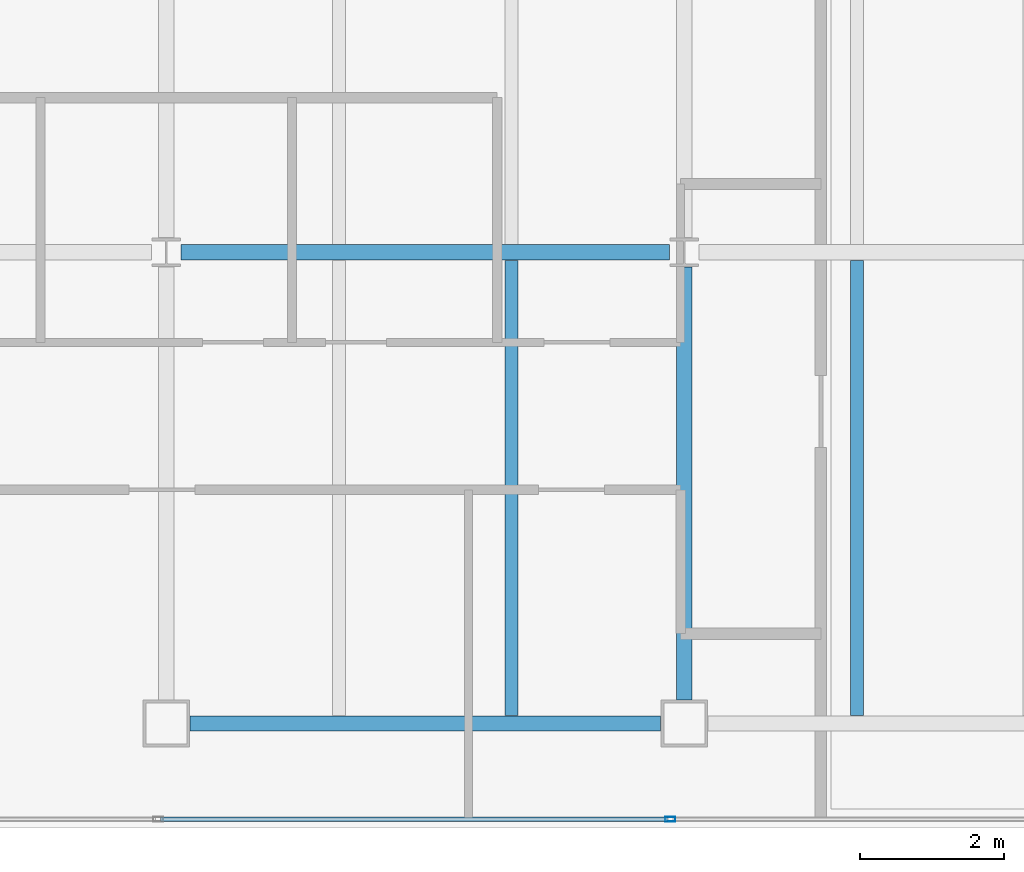
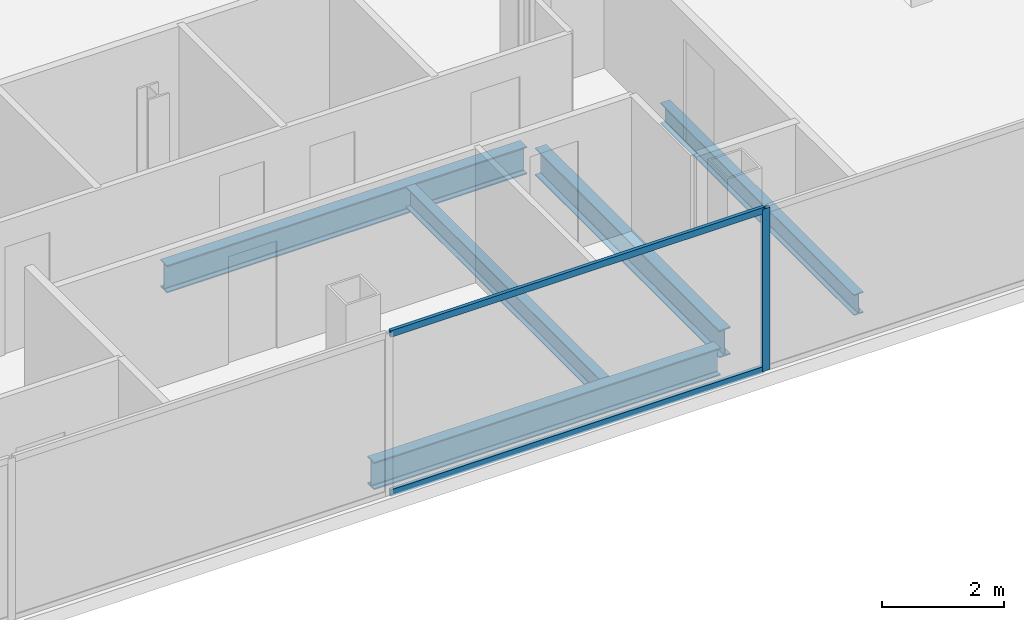
# One storey, part 6 of 23: 5 beams, 3 members, 1 element without a shape of its own.
"""IFC4 building model written with IfcOpenShell, lengths in metres."""

from ifc_helpers import new_model, si_unit, direction, frame, origin, origin_2d, place, context, subcontext, project, spatial, hollow_rectangle, i_section, extrude, material, material_profile, profile_set, type_object, element, aggregate, save


model = new_model("IFC4")

# Units and contexts
model_context = context("Model", 3, precision=1e-05, world=origin(), true_north=direction((0.0, 1.0)))
body_context = subcontext(model_context, "Body", "Model", "MODEL_VIEW")
ifc_project = project(units=[si_unit("LENGTHUNIT", "METRE"), si_unit("AREAUNIT", "SQUARE_METRE"), si_unit("VOLUMEUNIT", "CUBIC_METRE"), si_unit("PLANEANGLEUNIT", "RADIAN"), si_unit("MASSUNIT", "GRAM", prefix="KILO")], contexts=[model_context])

# Site, building, storey
site_placement = place(None, origin())
site = spatial("IfcSite", under=ifc_project, at=site_placement, CompositionType="ELEMENT")
building_placement = place(site_placement, origin())
building = spatial("IfcBuilding", under=site, at=building_placement, Name="Cobrela Telecom Tower", CompositionType="ELEMENT")
storey_placement = place(building_placement, frame((0.0, 0.0, 272.64990234375)))
storey = spatial("IfcBuildingStorey", under=building, at=storey_placement, Name="L71", CompositionType="ELEMENT", Elevation=272.64990234375)

# Beams
ifc_material_1 = material(Name="Steel ASTM A992 Grade 50", Category="steel")
ifc_material_profile_1 = material_profile(ifc_material_1, i_section(OverallWidth=0.212890625, OverallDepth=0.549072265625, WebThickness=0.0146484375, FlangeThickness=0.023681640625, FilletRadius=0.013916015625, at=origin_2d()), Name="W21X93")
ifc_profile_set_1 = profile_set([ifc_material_profile_1], Name="Steel ASTM A992 Grade 50")
beam_type_1 = type_object("IfcBeamType", Name="BM-GIRD-08", PredefinedType="USERDEFINED", material=ifc_profile_set_1)
beam_1_placement = place(storey_placement, frame((21.929931640625, 7.85009765625, -0.534423828125), z_axis=(1.0, 0.0, 0.0), x_axis=(0.0, 1.0, 0.0)))
element("IfcBeam", 1, at=beam_1_placement, inside=storey, type_object=beam_type_1, Name="L71 Primary Girder X03", ObjectType="GIRDER", PredefinedType="USERDEFINED", context=body_context, shape_type="SweptSolid", body=[
    extrude(i_section(OverallWidth=0.212890625, OverallDepth=0.549072265625, WebThickness=0.0146484375, FlangeThickness=0.023681640625, FilletRadius=0.013916015625, at=origin_2d()), origin(), (0.0, 0.0, 1.0), 6.5400390625),
])
beam_2_placement = place(storey_placement, frame((21.804443359375, 14.39990234375, -0.534423828125), z_axis=(1.0, 0.0, 0.0), x_axis=(0.0, 1.0, 0.0)))
element("IfcBeam", 2, at=beam_2_placement, inside=storey, type_object=beam_type_1, Name="L71 Primary Girder X06", ObjectType="GIRDER", PredefinedType="USERDEFINED", context=body_context, shape_type="SweptSolid", body=[
    extrude(i_section(OverallWidth=0.212890625, OverallDepth=0.549072265625, WebThickness=0.0146484375, FlangeThickness=0.023681640625, FilletRadius=0.013916015625, at=origin_2d()), origin(), (0.0, 0.0, 1.0), 6.791015625),
])
beam_3_placement = place(storey_placement, frame((28.800048828125, 8.179931640625, -0.534423828125), z_axis=(0.0, 1.0, 0.0), x_axis=(-1.0, 0.0, 0.0)))
element("IfcBeam", 3, at=beam_3_placement, inside=storey, type_object=beam_type_1, Name="L71 Primary Girder Y29", ObjectType="GIRDER", PredefinedType="USERDEFINED", context=body_context, shape_type="SweptSolid", body=[
    extrude(i_section(OverallWidth=0.212890625, OverallDepth=0.549072265625, WebThickness=0.0146484375, FlangeThickness=0.023681640625, FilletRadius=0.013916015625, at=origin_2d()), origin(), (0.0, 0.0, 1.0), 6.015625),
])
ifc_material_profile_2 = material_profile(ifc_material_1, i_section(OverallWidth=0.179931640625, OverallDepth=0.4169921875, WebThickness=0.010986328125, FlangeThickness=0.01806640625, FilletRadius=0.011962890625, at=origin_2d()), Name="W16X57")
ifc_profile_set_2 = profile_set([ifc_material_profile_2], Name="Steel ASTM A992 Grade 50")
beam_type_2 = type_object("IfcBeamType", Name="BM-JOIST-04", PredefinedType="JOIST", material=ifc_profile_set_2)
for number, where, z_axis, x_axis, name in (
    (4, (26.39990234375, 7.96142578125, -0.468505859375), (0.0, 1.0, 0.0), (-1.0, 0.0, 0.0), "L71 Secondary Composite Floor Beam J09"),
    (5, (31.199951171875, 7.96142578125, -0.468505859375), (0.0, 1.0, 0.0), (-1.0, 0.0, 0.0), "L71 Secondary Composite Floor Beam J11"),
):
    element("IfcBeam", number, at=place(storey_placement, frame(where, z_axis=z_axis, x_axis=x_axis)), inside=storey, type_object=beam_type_2, Name=name, PredefinedType="JOIST", context=body_context, shape_type="SweptSolid", body=[
        extrude(i_section(OverallWidth=0.179931640625, OverallDepth=0.4169921875, WebThickness=0.010986328125, FlangeThickness=0.01806640625, FilletRadius=0.011962890625, at=origin_2d()), origin(), (0.0, 0.0, 1.0), 6.3271484375),
    ])

# Curtain wall, members
ifc_material_2 = material(Name="Anodized Bronze Aluminium 6063-T6", Category="aluminium")
curtain_wall_type = type_object("IfcCurtainWallType", Name="CW-SYS-OFF-HI", PredefinedType="USERDEFINED", material=ifc_material_2)
curtain_wall_placement = place(storey_placement, origin())
curtain_wall = element("IfcCurtainWall", 6, at=curtain_wall_placement, inside=storey, type_object=curtain_wall_type, Name="L71 Unitised Bronze Curtain Wall 15", ObjectType="UNITISED CURTAIN WALL", PredefinedType="USERDEFINED")
ifc_material_profile_3 = material_profile(ifc_material_2, hollow_rectangle(XDim=0.070068359375, YDim=0.139892578125, WallThickness=0.00390625, at=origin_2d()), Name="ALU 70x140x4")
ifc_profile_set_3 = profile_set([ifc_material_profile_3], Name="Anodized Bronze Aluminium 6063-T6")
member_type_1 = type_object("IfcMemberType", Name="CW-SYS-OFF-HI-MUL", PredefinedType="MULLION", material=ifc_profile_set_3)
member_1_placement = place(storey_placement, frame((28.606689453125, 6.52001953125, 0.0), z_axis=(0.0, 0.0, 1.0), x_axis=(0.0, -1.0, 0.0)))
member_1 = element("IfcMember", 7, at=member_1_placement, type_object=member_type_1, Name="CW-OFF-HI mullion 3", PredefinedType="MULLION", context=body_context, shape_type="SweptSolid", body=[
    extrude(hollow_rectangle(XDim=0.070068359375, YDim=0.139892578125, WallThickness=0.00390625, at=origin_2d()), origin(), (0.0, 0.0, 1.0), 3.239990234375),
])
ifc_material_profile_4 = material_profile(ifc_material_2, hollow_rectangle(XDim=0.06494140625, YDim=0.1298828125, WallThickness=0.00390625, at=origin_2d()), Name="ALU 65x130x4")
ifc_profile_set_4 = profile_set([ifc_material_profile_4], Name="Anodized Bronze Aluminium 6063-T6")
member_type_2 = type_object("IfcMemberType", Name="CW-SYS-OFF-HI-TRN", PredefinedType="USERDEFINED", material=ifc_profile_set_4)
member_2_placement = place(storey_placement, frame((28.57177734375, 6.52001953125, 0.03271484375), z_axis=(-1.0, 0.0, 0.0), x_axis=(0.0, -1.0, 0.0)))
member_2 = element("IfcMember", 8, at=member_2_placement, type_object=member_type_2, Name="CW-OFF-HI transom 3.1", ObjectType="TRANSOM", PredefinedType="USERDEFINED", context=body_context, shape_type="SweptSolid", body=[
    extrude(hollow_rectangle(XDim=0.06494140625, YDim=0.1298828125, WallThickness=0.00390625, at=origin_2d()), origin(), (0.0, 0.0, 1.0), 7.0517578125),
])
member_3_placement = place(storey_placement, frame((28.57177734375, 6.52001953125, 3.20751953125), z_axis=(-1.0, 0.0, 0.0), x_axis=(0.0, -1.0, 0.0)))
member_3 = element("IfcMember", 9, at=member_3_placement, type_object=member_type_2, Name="CW-OFF-HI transom 3.2", ObjectType="TRANSOM", PredefinedType="USERDEFINED", context=body_context, shape_type="SweptSolid", body=[
    extrude(hollow_rectangle(XDim=0.06494140625, YDim=0.1298828125, WallThickness=0.00390625, at=origin_2d()), origin(), (0.0, 0.0, 1.0), 7.0517578125),
])
aggregate(curtain_wall, [member_1, member_2, member_3])

save(model, "model.ifc")
